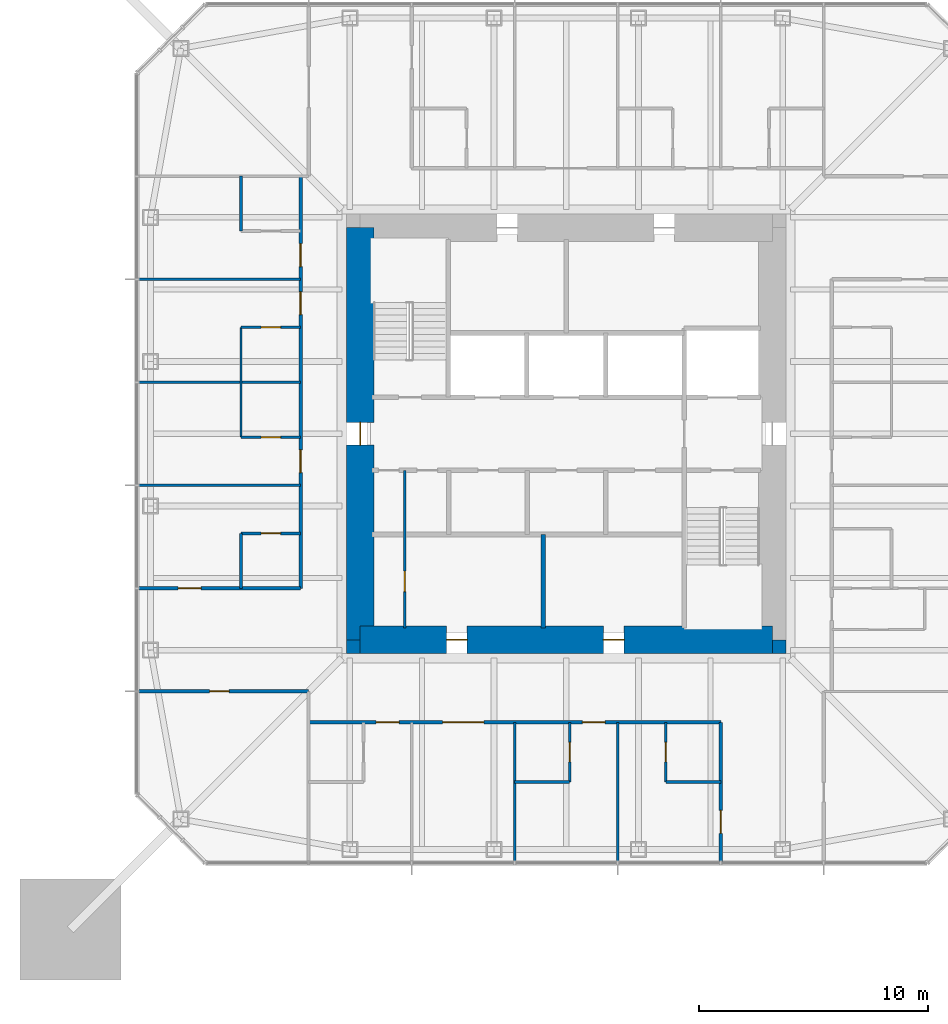
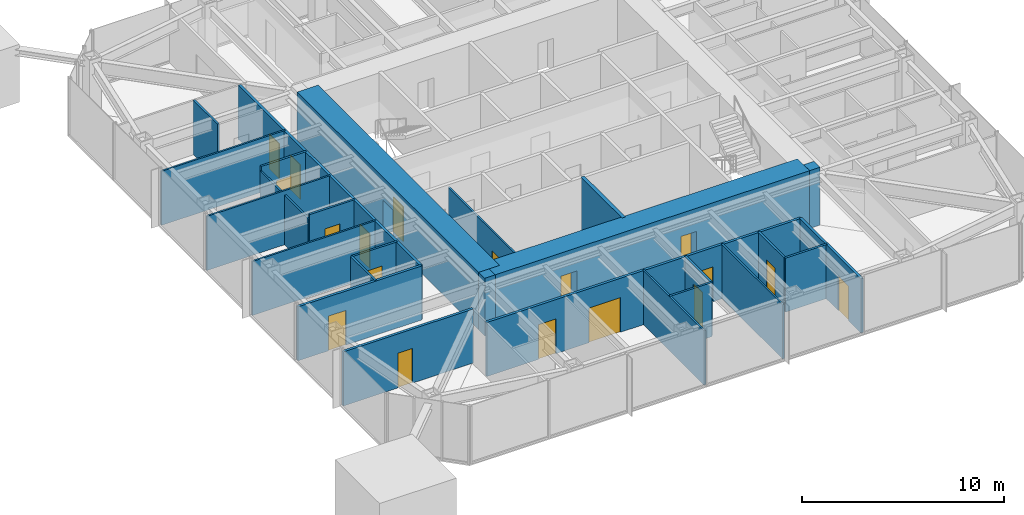
# One storey, part 6 of 12: 26 walls, 18 doors, 18 openings.
"""IFC4 building model written with IfcOpenShell, lengths in metres."""

from ifc_helpers import new_model, si_unit, direction, frame, frame_2d, origin, place, context, subcontext, project, spatial, rectangle, extrude, material, layer, layer_set, type_object, element, fill, save


model = new_model("IFC4")

# Units and contexts
model_context = context("Model", 3, precision=1e-05, world=origin(), true_north=direction((0.0, 1.0)))
body_context = subcontext(model_context, "Body", "Model", "MODEL_VIEW")
ifc_project = project(units=[si_unit("LENGTHUNIT", "METRE"), si_unit("AREAUNIT", "SQUARE_METRE"), si_unit("VOLUMEUNIT", "CUBIC_METRE"), si_unit("PLANEANGLEUNIT", "RADIAN"), si_unit("MASSUNIT", "GRAM", prefix="KILO")], contexts=[model_context])

# Site, building, storey
site_placement = place(None, origin())
site = spatial("IfcSite", under=ifc_project, at=site_placement, CompositionType="ELEMENT")
building_placement = place(site_placement, origin())
building = spatial("IfcBuilding", under=site, at=building_placement, Name="Iwan Alto Co-Living Towers", CompositionType="ELEMENT")
storey_placement = place(building_placement, frame((0.0, 0.0, 153.0)))
storey = spatial("IfcBuildingStorey", under=building, at=storey_placement, Name="L41", CompositionType="ELEMENT", Elevation=153.0)

# Wall, openings, doors
ifc_material_1 = material(Name="Gypsum board")
ifc_layer_1 = layer(ifc_material_1, 0.02490234375, Name="Board", Category="Finish")
ifc_material_2 = material(Name="Steel ASTM A1003 ST33H cold-formed studs", Category="steel")
ifc_layer_2 = layer(ifc_material_2, 0.10009765625, Name="Studs", Category="Framing")
ifc_layer_3 = layer(ifc_material_1, 0.02490234375, Name="Board", Category="Finish")
ifc_layer_set_1 = layer_set([ifc_layer_1, ifc_layer_2, ifc_layer_3], Name="CORRIDOR WALL 150")
wall_type_1 = type_object("IfcWallType", Name="CORRIDOR WALL 150", PredefinedType="PARTITIONING", material=ifc_layer_set_1)
wall_1_placement = place(storey_placement, frame((-11.25, -12.60009765625, 0.0), z_axis=(0.0, 0.0, 1.0), x_axis=(1.0, 0.0, 0.0)))
wall_1 = element("IfcWall", 1, at=wall_1_placement, inside=storey, type_object=wall_type_1, Name="Partition L41", PredefinedType="PARTITIONING", context=body_context, shape_type="SweptSolid", body=[
    extrude(rectangle(XDim=18.0, YDim=0.14990234375, at=frame_2d((9.0, 0.0))), origin(), (0.0, 0.0, 1.0), 3.27001953125),
])
opening_1_placement = place(wall_1_placement, frame((2.949951171875, 0.0, 0.0)))
opening_1 = element("IfcOpeningElement", 2, at=opening_1_placement, cuts=wall_1, Name="Opening D3", PredefinedType="OPENING", context=body_context, shape_type="SweptSolid", body=[
    extrude(rectangle(XDim=1.0, YDim=2.10009765625, at=frame_2d((0.5, 1.050048828125))), frame((0.0, 0.0849609375, 0.0), z_axis=(0.0, -1.0, 0.0), x_axis=(1.0, 0.0, 0.0)), (0.0, 0.0, 1.0), 0.169921875),
])
opening_2_placement = place(wall_1_placement, frame((5.85009765625, 0.0, 0.0)))
opening_2 = element("IfcOpeningElement", 3, at=opening_2_placement, cuts=wall_1, Name="Opening D9", PredefinedType="OPENING", context=body_context, shape_type="SweptSolid", body=[
    extrude(rectangle(XDim=1.800048828125, YDim=2.10009765625, at=frame_2d((0.89990234375, 1.050048828125))), frame((0.0, 0.0849609375, 0.0), z_axis=(0.0, -1.0, 0.0), x_axis=(1.0, 0.0, 0.0)), (0.0, 0.0, 1.0), 0.169921875),
])
opening_3_placement = place(wall_1_placement, frame((11.949951171875, 0.0, 0.0)))
opening_3 = element("IfcOpeningElement", 4, at=opening_3_placement, cuts=wall_1, Name="Opening D3", PredefinedType="OPENING", context=body_context, shape_type="SweptSolid", body=[
    extrude(rectangle(XDim=1.0, YDim=2.10009765625, at=frame_2d((0.5, 1.050048828125))), frame((0.0, 0.0849609375, 0.0), z_axis=(0.0, -1.0, 0.0), x_axis=(1.0, 0.0, 0.0)), (0.0, 0.0, 1.0), 0.169921875),
])
ifc_material_3 = material(Name="Steel frame with timber leaf", Category="steel")
door_type_1 = type_object("IfcDoorType", Name="FLAT ENTRANCE DOOR FD30S 1000X2100", OperationType="SINGLE_SWING_LEFT", PredefinedType="DOOR", material=ifc_material_3)
door_1_placement = place(opening_1_placement, frame((1.0, 0.0, 0.0), z_axis=(0.0, 0.0, 1.0), x_axis=(-1.0, 0.0, 0.0)))
door_1 = element("IfcDoor", 5, at=door_1_placement, inside=storey, type_object=door_type_1, Name="Studio door L41", OperationType="SINGLE_SWING_RIGHT", OverallHeight=2.10009765625, OverallWidth=1.0, PredefinedType="DOOR", context=body_context, shape_type="SweptSolid", body=[
    extrude(rectangle(XDim=1.0, YDim=2.10009765625, at=frame_2d((0.5, 1.050048828125))), frame((0.0, 0.02490234375, 0.0), z_axis=(0.0, -1.0, 0.0), x_axis=(1.0, 0.0, 0.0)), (0.0, 0.0, 1.0), 0.050048828125),
])
fill(opening_1, door_1)
door_2_placement = place(opening_3_placement, frame((1.0, 0.0, 0.0), z_axis=(0.0, 0.0, 1.0), x_axis=(-1.0, 0.0, 0.0)))
door_2 = element("IfcDoor", 6, at=door_2_placement, inside=storey, type_object=door_type_1, Name="Studio door L41", OperationType="SINGLE_SWING_RIGHT", OverallHeight=2.10009765625, OverallWidth=1.0, PredefinedType="DOOR", context=body_context, shape_type="SweptSolid", body=[
    extrude(rectangle(XDim=1.0, YDim=2.10009765625, at=frame_2d((0.5, 1.050048828125))), frame((0.0, 0.02490234375, 0.0), z_axis=(0.0, -1.0, 0.0), x_axis=(1.0, 0.0, 0.0)), (0.0, 0.0, 1.0), 0.050048828125),
])
fill(opening_3, door_2)
ifc_material_4 = material(Name="Steel frame with timber leaf", Category="steel")
door_type_2 = type_object("IfcDoorType", Name="LOUNGE DOOR FD30S 1800X2100", OperationType="DOUBLE_DOOR_SINGLE_SWING", PredefinedType="DOOR", material=ifc_material_4)
door_3_placement = place(opening_2_placement, frame((1.800048828125, 0.0, 0.0), z_axis=(0.0, 0.0, 1.0), x_axis=(-1.0, 0.0, 0.0)))
door_3 = element("IfcDoor", 7, at=door_3_placement, inside=storey, type_object=door_type_2, Name="Seminar room door L41", OperationType="DOUBLE_DOOR_SINGLE_SWING", OverallHeight=2.10009765625, OverallWidth=1.800048828125, PredefinedType="DOOR", context=body_context, shape_type="SweptSolid", body=[
    extrude(rectangle(XDim=1.800048828125, YDim=2.10009765625, at=frame_2d((0.89990234375, 1.050048828125))), frame((0.0, 0.02490234375, 0.0), z_axis=(0.0, -1.0, 0.0), x_axis=(1.0, 0.0, 0.0)), (0.0, 0.0, 1.0), 0.050048828125),
])
fill(opening_2, door_3)

# Wall, opening, door
wall_2_placement = place(storey_placement, frame((-18.68994140625, -11.25, 0.0), z_axis=(0.0, 0.0, 1.0), x_axis=(1.0, 0.0, 0.0)))
wall_2 = element("IfcWall", 8, at=wall_2_placement, inside=storey, type_object=wall_type_1, Name="Partition L41", PredefinedType="PARTITIONING", context=body_context, shape_type="SweptSolid", body=[
    extrude(rectangle(XDim=7.43994140625, YDim=0.14990234375, at=frame_2d((3.719970703125, 0.0))), origin(), (0.0, 0.0, 1.0), 3.27001953125),
])
opening_4_placement = place(wall_2_placement, frame((3.1201171875, 0.0, 0.0)))
opening_4 = element("IfcOpeningElement", 9, at=opening_4_placement, cuts=wall_2, Name="Opening D2", PredefinedType="OPENING", context=body_context, shape_type="SweptSolid", body=[
    extrude(rectangle(XDim=0.85009765625, YDim=2.10009765625, at=frame_2d((0.425048828125, 1.050048828125))), frame((0.0, 0.0849609375, 0.0), z_axis=(0.0, -1.0, 0.0), x_axis=(1.0, 0.0, 0.0)), (0.0, 0.0, 1.0), 0.169921875),
])
ifc_material_5 = material(Name="Timber leaf in steel frame", Category="steel")
door_type_3 = type_object("IfcDoorType", Name="ROOM DOOR 850X2100", OperationType="SINGLE_SWING_LEFT", PredefinedType="DOOR", material=ifc_material_5)
door_4_placement = place(opening_4_placement, frame((0.85009765625, 0.0, 0.0), z_axis=(0.0, 0.0, 1.0), x_axis=(-1.0, 0.0, 0.0)))
door_4 = element("IfcDoor", 10, at=door_4_placement, inside=storey, type_object=door_type_3, Name="Shared kitchen and lounge door L41", OperationType="SINGLE_SWING_RIGHT", OverallHeight=2.10009765625, OverallWidth=0.85009765625, PredefinedType="DOOR", context=body_context, shape_type="SweptSolid", body=[
    extrude(rectangle(XDim=0.85009765625, YDim=2.10009765625, at=frame_2d((0.425048828125, 1.050048828125))), frame((0.0, 0.02490234375, 0.0), z_axis=(0.0, -1.0, 0.0), x_axis=(1.0, 0.0, 0.0)), (0.0, 0.0, 1.0), 0.050048828125),
])
fill(opening_4, door_4)

wall_3_placement = place(storey_placement, frame((-18.68994140625, -6.75, 0.0), z_axis=(0.0, 0.0, 1.0), x_axis=(1.0, 0.0, 0.0)))
wall_3 = element("IfcWall", 11, at=wall_3_placement, inside=storey, type_object=wall_type_1, Name="Partition L41", PredefinedType="PARTITIONING", context=body_context, shape_type="SweptSolid", body=[
    extrude(rectangle(XDim=7.08984375, YDim=0.14990234375, at=frame_2d((3.544921875, 0.0))), origin(), (0.0, 0.0, 1.0), 3.27001953125),
])
opening_5_placement = place(wall_3_placement, frame((1.7451171875, 0.0, 0.0)))
opening_5 = element("IfcOpeningElement", 12, at=opening_5_placement, cuts=wall_3, Name="Opening D3", PredefinedType="OPENING", context=body_context, shape_type="SweptSolid", body=[
    extrude(rectangle(XDim=1.0, YDim=2.10009765625, at=frame_2d((0.5, 1.050048828125))), frame((0.0, 0.0849609375, 0.0), z_axis=(0.0, -1.0, 0.0), x_axis=(1.0, 0.0, 0.0)), (0.0, 0.0, 1.0), 0.169921875),
])
door_5_placement = place(opening_5_placement, origin())
door_5 = element("IfcDoor", 13, at=door_5_placement, inside=storey, type_object=door_type_1, Name="Studio door L41", OperationType="SINGLE_SWING_RIGHT", OverallHeight=2.10009765625, OverallWidth=1.0, PredefinedType="DOOR", context=body_context, shape_type="SweptSolid", body=[
    extrude(rectangle(XDim=1.0, YDim=2.10009765625, at=frame_2d((0.5, 1.050048828125))), frame((0.0, 0.02490234375, 0.0), z_axis=(0.0, -1.0, 0.0), x_axis=(1.0, 0.0, 0.0)), (0.0, 0.0, 1.0), 0.050048828125),
])
fill(opening_5, door_5)

wall_4_placement = place(storey_placement, frame((6.75, -18.68994140625, 0.0), z_axis=(0.0, 0.0, 1.0), x_axis=(0.0, 1.0, 0.0)))
wall_4 = element("IfcWall", 14, at=wall_4_placement, inside=storey, type_object=wall_type_1, Name="Partition L41", PredefinedType="PARTITIONING", context=body_context, shape_type="SweptSolid", body=[
    extrude(rectangle(XDim=6.08984375, YDim=0.14990234375, at=frame_2d((3.044921875, 0.0))), origin(), (0.0, 0.0, 1.0), 3.27001953125),
])
opening_6_placement = place(wall_4_placement, frame((1.2451171875, 0.0, 0.0)))
opening_6 = element("IfcOpeningElement", 15, at=opening_6_placement, cuts=wall_4, Name="Opening D3", PredefinedType="OPENING", context=body_context, shape_type="SweptSolid", body=[
    extrude(rectangle(XDim=1.0, YDim=2.10009765625, at=frame_2d((0.5, 1.050048828125))), frame((0.0, 0.0849609375, 0.0), z_axis=(0.0, -1.0, 0.0), x_axis=(1.0, 0.0, 0.0)), (0.0, 0.0, 1.0), 0.169921875),
])
door_6_placement = place(opening_6_placement, origin())
door_6 = element("IfcDoor", 16, at=door_6_placement, inside=storey, type_object=door_type_1, Name="Studio door L41", OperationType="SINGLE_SWING_RIGHT", OverallHeight=2.10009765625, OverallWidth=1.0, PredefinedType="DOOR", context=body_context, shape_type="SweptSolid", body=[
    extrude(rectangle(XDim=1.0, YDim=2.10009765625, at=frame_2d((0.5, 1.050048828125))), frame((0.0, 0.02490234375, 0.0), z_axis=(0.0, -1.0, 0.0), x_axis=(1.0, 0.0, 0.0)), (0.0, 0.0, 1.0), 0.050048828125),
])
fill(opening_6, door_6)

# Wall, openings, doors
wall_5_placement = place(storey_placement, frame((-11.60009765625, -6.75, 0.0), z_axis=(0.0, 0.0, 1.0), x_axis=(0.0, 1.0, 0.0)))
wall_5 = element("IfcWall", 17, at=wall_5_placement, inside=storey, type_object=wall_type_1, Name="Partition L41", PredefinedType="PARTITIONING", context=body_context, shape_type="SweptSolid", body=[
    extrude(rectangle(XDim=18.0, YDim=0.14990234375, at=frame_2d((9.0, 0.0))), origin(), (0.0, 0.0, 1.0), 3.27001953125),
])
opening_7_placement = place(wall_5_placement, frame((14.050048828125, 0.0, 0.0)))
opening_7 = element("IfcOpeningElement", 18, at=opening_7_placement, cuts=wall_5, Name="Opening D3", PredefinedType="OPENING", context=body_context, shape_type="SweptSolid", body=[
    extrude(rectangle(XDim=1.0, YDim=2.10009765625, at=frame_2d((0.5, 1.050048828125))), frame((0.0, 0.0849609375, 0.0), z_axis=(0.0, -1.0, 0.0), x_axis=(1.0, 0.0, 0.0)), (0.0, 0.0, 1.0), 0.169921875),
])
opening_8_placement = place(wall_5_placement, frame((11.949951171875, 0.0, 0.0)))
opening_8 = element("IfcOpeningElement", 19, at=opening_8_placement, cuts=wall_5, Name="Opening D3", PredefinedType="OPENING", context=body_context, shape_type="SweptSolid", body=[
    extrude(rectangle(XDim=1.0, YDim=2.10009765625, at=frame_2d((0.5, 1.050048828125))), frame((0.0, 0.0849609375, 0.0), z_axis=(0.0, -1.0, 0.0), x_axis=(1.0, 0.0, 0.0)), (0.0, 0.0, 1.0), 0.169921875),
])
opening_9_placement = place(wall_5_placement, frame((5.050048828125, 0.0, 0.0)))
opening_9 = element("IfcOpeningElement", 20, at=opening_9_placement, cuts=wall_5, Name="Opening D3", PredefinedType="OPENING", context=body_context, shape_type="SweptSolid", body=[
    extrude(rectangle(XDim=1.0, YDim=2.10009765625, at=frame_2d((0.5, 1.050048828125))), frame((0.0, 0.0849609375, 0.0), z_axis=(0.0, -1.0, 0.0), x_axis=(1.0, 0.0, 0.0)), (0.0, 0.0, 1.0), 0.169921875),
])
door_7_placement = place(opening_7_placement, origin())
door_7 = element("IfcDoor", 21, at=door_7_placement, inside=storey, type_object=door_type_1, Name="Studio door L41", OperationType="SINGLE_SWING_LEFT", OverallHeight=2.10009765625, OverallWidth=1.0, PredefinedType="DOOR", context=body_context, shape_type="SweptSolid", body=[
    extrude(rectangle(XDim=1.0, YDim=2.10009765625, at=frame_2d((0.5, 1.050048828125))), frame((0.0, 0.02490234375, 0.0), z_axis=(0.0, -1.0, 0.0), x_axis=(1.0, 0.0, 0.0)), (0.0, 0.0, 1.0), 0.050048828125),
])
fill(opening_7, door_7)
door_8_placement = place(opening_8_placement, origin())
door_8 = element("IfcDoor", 22, at=door_8_placement, inside=storey, type_object=door_type_1, Name="Studio door L41", OperationType="SINGLE_SWING_LEFT", OverallHeight=2.10009765625, OverallWidth=1.0, PredefinedType="DOOR", context=body_context, shape_type="SweptSolid", body=[
    extrude(rectangle(XDim=1.0, YDim=2.10009765625, at=frame_2d((0.5, 1.050048828125))), frame((0.0, 0.02490234375, 0.0), z_axis=(0.0, -1.0, 0.0), x_axis=(1.0, 0.0, 0.0)), (0.0, 0.0, 1.0), 0.050048828125),
])
fill(opening_8, door_8)
door_9_placement = place(opening_9_placement, origin())
door_9 = element("IfcDoor", 23, at=door_9_placement, inside=storey, type_object=door_type_1, Name="Studio door L41", OperationType="SINGLE_SWING_LEFT", OverallHeight=2.10009765625, OverallWidth=1.0, PredefinedType="DOOR", context=body_context, shape_type="SweptSolid", body=[
    extrude(rectangle(XDim=1.0, YDim=2.10009765625, at=frame_2d((0.5, 1.050048828125))), frame((0.0, 0.02490234375, 0.0), z_axis=(0.0, -1.0, 0.0), x_axis=(1.0, 0.0, 0.0)), (0.0, 0.0, 1.0), 0.050048828125),
])
fill(opening_9, door_9)

# Walls
ifc_layer_4 = layer(ifc_material_1, 0.012451171875, Name="Board", Category="Finish")
ifc_layer_5 = layer(ifc_material_2, 0.074951171875, Name="Studs", Category="Framing")
ifc_layer_6 = layer(ifc_material_1, 0.012451171875, Name="Board", Category="Finish")
ifc_layer_set_2 = layer_set([ifc_layer_4, ifc_layer_5, ifc_layer_6], Name="PARTITION 100")
wall_type_2 = type_object("IfcWallType", Name="PARTITION 100", PredefinedType="PARTITIONING", material=ifc_layer_set_2)
for number, where, z_axis, x_axis, name in (
    (24, (-18.68994140625, -2.25, 0.0), (0.0, 0.0, 1.0), (1.0, 0.0, 0.0), "Partition L41"),
    (25, (-18.68994140625, 2.25, 0.0), (0.0, 0.0, 1.0), (1.0, 0.0, 0.0), "Partition L41"),
    (26, (-18.68994140625, 6.75, 0.0), (0.0, 0.0, 1.0), (1.0, 0.0, 0.0), "Partition L41"),
):
    element("IfcWall", number, at=place(storey_placement, frame(where, z_axis=z_axis, x_axis=x_axis)), inside=storey, type_object=wall_type_2, Name=name, PredefinedType="PARTITIONING", context=body_context, shape_type="SweptSolid", body=[
        extrude(rectangle(XDim=7.08984375, YDim=0.10009765625, at=frame_2d((3.544921875, 0.0))), origin(), (0.0, 0.0, 1.0), 3.27001953125),
    ])
for number, where, z_axis, x_axis, name in (
    (27, (2.25, -18.68994140625, 0.0), (0.0, 0.0, 1.0), (0.0, 1.0, 0.0), "Partition L41"),
    (28, (-2.25, -18.68994140625, 0.0), (0.0, 0.0, 1.0), (0.0, 1.0, 0.0), "Partition L41"),
):
    element("IfcWall", number, at=place(storey_placement, frame(where, z_axis=z_axis, x_axis=x_axis)), inside=storey, type_object=wall_type_2, Name=name, PredefinedType="PARTITIONING", context=body_context, shape_type="SweptSolid", body=[
        extrude(rectangle(XDim=6.08984375, YDim=0.10009765625, at=frame_2d((3.044921875, 0.0))), origin(), (0.0, 0.0, 1.0), 3.27001953125),
    ])

# Wall, opening, door
wall_6_placement = place(storey_placement, frame((-7.050048828125, -8.489990234375, 0.0), z_axis=(0.0, 0.0, 1.0), x_axis=(0.0, 1.0, 0.0)))
wall_6 = element("IfcWall", 29, at=wall_6_placement, inside=storey, type_object=wall_type_2, Name="Partition L41", PredefinedType="PARTITIONING", context=body_context, shape_type="SweptSolid", body=[
    extrude(rectangle(XDim=6.889892578125, YDim=0.10009765625, at=frame_2d((3.44482421875, 0.0))), origin(), (0.0, 0.0, 1.0), 3.300048828125),
])
opening_10_placement = place(wall_6_placement, frame((1.594970703125, 0.0, 0.0)))
opening_10 = element("IfcOpeningElement", 30, at=opening_10_placement, cuts=wall_6, Name="Opening D16", PredefinedType="OPENING", context=body_context, shape_type="SweptSolid", body=[
    extrude(rectangle(XDim=0.89990234375, YDim=2.10009765625, at=frame_2d((0.449951171875, 1.050048828125))), frame((0.0, 0.06005859375, 0.0), z_axis=(0.0, -1.0, 0.0), x_axis=(1.0, 0.0, 0.0)), (0.0, 0.0, 1.0), 0.1201171875),
])
ifc_material_6 = material(Name="Timber leaf in steel frame", Category="steel")
door_type_4 = type_object("IfcDoorType", Name="CUPBOARD SLIDING DOOR 900X2100", OperationType="SLIDING_TO_LEFT", PredefinedType="DOOR", material=ifc_material_6)
door_10_placement = place(opening_10_placement, origin())
door_10 = element("IfcDoor", 31, at=door_10_placement, inside=storey, type_object=door_type_4, Name="Bin store door L41", OperationType="SLIDING_TO_RIGHT", OverallHeight=2.10009765625, OverallWidth=0.89990234375, PredefinedType="DOOR", context=body_context, shape_type="SweptSolid", body=[
    extrude(rectangle(XDim=0.89990234375, YDim=2.10009765625, at=frame_2d((0.449951171875, 1.050048828125))), frame((0.0, 0.02490234375, 0.0), z_axis=(0.0, -1.0, 0.0), x_axis=(1.0, 0.0, 0.0)), (0.0, 0.0, 1.0), 0.050048828125),
])
fill(opening_10, door_10)

# Walls
wall_7_placement = place(storey_placement, frame((-14.199951171875, -0.14990234375, 0.0), z_axis=(0.0, 0.0, 1.0), x_axis=(0.0, 1.0, 0.0)))
element("IfcWall", 32, at=wall_7_placement, inside=storey, type_object=wall_type_2, Name="Partition L41", PredefinedType="PARTITIONING", context=body_context, shape_type="SweptSolid", body=[
    extrude(rectangle(XDim=4.7998046875, YDim=0.10009765625, at=frame_2d((2.39990234375, 0.0))), origin(), (0.0, 0.0, 1.0), 3.0),
])
ifc_material_7 = material(Name="Concrete f'c 70 MPa", Category="concrete")
ifc_layer_7 = layer(ifc_material_7, 0.199951171875)
ifc_layer_set_3 = layer_set([ifc_layer_7], Name="SHAFT WALL 200")
wall_type_3 = type_object("IfcWallType", Name="SHAFT WALL 200", PredefinedType="SOLIDWALL", material=ifc_layer_set_3)
wall_8_placement = place(storey_placement, frame((-1.0, -8.489990234375, 0.0), z_axis=(0.0, 0.0, 1.0), x_axis=(0.0, 1.0, 0.0)))
element("IfcWall", 33, at=wall_8_placement, inside=storey, type_object=wall_type_3, Name="Shaft wall L41", PredefinedType="SOLIDWALL", context=body_context, shape_type="SweptSolid", body=[
    extrude(rectangle(XDim=4.090087890625, YDim=0.199951171875, at=frame_2d((2.044921875, 0.0))), origin(), (0.0, 0.0, 1.0), 3.5),
])
ifc_material_8 = material(Name="Concrete f'c 70 MPa", Category="concrete")
ifc_layer_8 = layer(ifc_material_8, 0.60009765625)
ifc_layer_set_4 = layer_set([ifc_layer_8], Name="T1 CORE CORNER FILL 600")
wall_type_4 = type_object("IfcWallType", Name="T1 CORE CORNER FILL 600", PredefinedType="SOLIDWALL", material=ifc_layer_set_4)
for number, where, z_axis, x_axis, name in (
    (34, (-9.60009765625, -9.300048828125, 0.0), (0.0, 0.0, 1.0), (1.0, 0.0, 0.0), "T1 core corner SW L41"),
    (35, (9.0, -9.300048828125, 0.0), (0.0, 0.0, 1.0), (1.0, 0.0, 0.0), "T1 core corner SE L41"),
):
    element("IfcWall", number, at=place(storey_placement, frame(where, z_axis=z_axis, x_axis=x_axis)), inside=storey, type_object=wall_type_4, Name=name, PredefinedType="SOLIDWALL", context=body_context, shape_type="SweptSolid", body=[
        extrude(rectangle(XDim=0.60009765625, YDim=0.60009765625, at=frame_2d((0.300048828125, 0.0))), origin(), (0.0, 0.0, 1.0), 3.5),
    ])

# Wall, openings, doors
ifc_material_9 = material(Name="Concrete f'c 70 MPa", Category="concrete")
ifc_layer_9 = layer(ifc_material_9, 1.199951171875)
ifc_layer_set_5 = layer_set([ifc_layer_9], Name="T1 CORE WALL 1200")
wall_type_5 = type_object("IfcWallType", Name="T1 CORE WALL 1200", PredefinedType="SHEAR", material=ifc_layer_set_5)
wall_9_placement = place(storey_placement, frame((-9.0, -9.0, 0.0), z_axis=(0.0, 0.0, 1.0), x_axis=(1.0, 0.0, 0.0)))
wall_9 = element("IfcWall", 36, at=wall_9_placement, inside=storey, type_object=wall_type_5, Name="T1 core wall S L41", PredefinedType="SHEAR", context=body_context, shape_type="SweptSolid", body=[
    extrude(rectangle(XDim=18.0, YDim=1.199951171875, at=frame_2d((9.0, 0.0))), origin(), (0.0, 0.0, 1.0), 3.5),
])
opening_11_placement = place(wall_9_placement, frame((3.77490234375, 0.0, 0.0)))
opening_11 = element("IfcOpeningElement", 37, at=opening_11_placement, cuts=wall_9, Name="Opening D8", PredefinedType="OPENING", context=body_context, shape_type="SweptSolid", body=[
    extrude(rectangle(XDim=0.89990234375, YDim=2.10009765625, at=frame_2d((0.449951171875, 1.050048828125))), frame((0.0, 0.60986328125, 0.0), z_axis=(0.0, -1.0, 0.0), x_axis=(1.0, 0.0, 0.0)), (0.0, 0.0, 1.0), 1.219970703125),
])
opening_12_placement = place(wall_9_placement, frame((10.625, 0.0, 0.0)))
opening_12 = element("IfcOpeningElement", 38, at=opening_12_placement, cuts=wall_9, Name="Opening D8", PredefinedType="OPENING", context=body_context, shape_type="SweptSolid", body=[
    extrude(rectangle(XDim=0.89990234375, YDim=2.10009765625, at=frame_2d((0.449951171875, 1.050048828125))), frame((0.0, 0.60986328125, 0.0), z_axis=(0.0, -1.0, 0.0), x_axis=(1.0, 0.0, 0.0)), (0.0, 0.0, 1.0), 1.219970703125),
])
ifc_material_10 = material(Name="Steel frame with timber leaf", Category="steel")
door_type_5 = type_object("IfcDoorType", Name="RISER DOOR FD120 900X2100", OperationType="SINGLE_SWING_LEFT", PredefinedType="DOOR", material=ifc_material_10)
door_11_placement = place(opening_11_placement, origin())
door_11 = element("IfcDoor", 39, at=door_11_placement, inside=storey, type_object=door_type_5, Name="Refuse room core door L41", OperationType="SINGLE_SWING_LEFT", OverallHeight=2.10009765625, OverallWidth=0.89990234375, PredefinedType="DOOR", context=body_context, shape_type="SweptSolid", body=[
    extrude(rectangle(XDim=0.89990234375, YDim=2.10009765625, at=frame_2d((0.449951171875, 1.050048828125))), frame((0.0, 0.02490234375, 0.0), z_axis=(0.0, -1.0, 0.0), x_axis=(1.0, 0.0, 0.0)), (0.0, 0.0, 1.0), 0.050048828125),
])
fill(opening_11, door_11)
door_12_placement = place(opening_12_placement, origin())
door_12 = element("IfcDoor", 40, at=door_12_placement, inside=storey, type_object=door_type_5, Name="Telecom riser core door L41", OperationType="SINGLE_SWING_LEFT", OverallHeight=2.10009765625, OverallWidth=0.89990234375, PredefinedType="DOOR", context=body_context, shape_type="SweptSolid", body=[
    extrude(rectangle(XDim=0.89990234375, YDim=2.10009765625, at=frame_2d((0.449951171875, 1.050048828125))), frame((0.0, 0.02490234375, 0.0), z_axis=(0.0, -1.0, 0.0), x_axis=(1.0, 0.0, 0.0)), (0.0, 0.0, 1.0), 0.050048828125),
])
fill(opening_12, door_12)

# Wall, opening, door
wall_10_placement = place(storey_placement, frame((-9.0, 9.0, 0.0), z_axis=(0.0, 0.0, 1.0), x_axis=(0.0, -1.0, 0.0)))
wall_10 = element("IfcWall", 41, at=wall_10_placement, inside=storey, type_object=wall_type_5, Name="T1 core wall W L41", PredefinedType="SHEAR", context=body_context, shape_type="SweptSolid", body=[
    extrude(rectangle(XDim=18.0, YDim=1.199951171875, at=frame_2d((9.0, 0.0))), origin(), (0.0, 0.0, 1.0), 3.5),
])
opening_13_placement = place(wall_10_placement, frame((8.5, 0.0, 0.0)))
opening_13 = element("IfcOpeningElement", 42, at=opening_13_placement, cuts=wall_10, Name="Opening D7", PredefinedType="OPENING", context=body_context, shape_type="SweptSolid", body=[
    extrude(rectangle(XDim=1.0, YDim=2.10009765625, at=frame_2d((0.5, 1.050048828125))), frame((0.0, 0.60986328125, 0.0), z_axis=(0.0, -1.0, 0.0), x_axis=(1.0, 0.0, 0.0)), (0.0, 0.0, 1.0), 1.219970703125),
])
ifc_material_11 = material(Name="Steel frame with timber leaf", Category="steel")
door_type_6 = type_object("IfcDoorType", Name="CORE DOOR FD120S 1000X2100", OperationType="SINGLE_SWING_LEFT", PredefinedType="DOOR", material=ifc_material_11)
door_13_placement = place(opening_13_placement, origin())
door_13 = element("IfcDoor", 43, at=door_13_placement, inside=storey, type_object=door_type_6, Name="Lift lobby core door L41", OperationType="SINGLE_SWING_RIGHT", OverallHeight=2.10009765625, OverallWidth=1.0, PredefinedType="DOOR", context=body_context, shape_type="SweptSolid", body=[
    extrude(rectangle(XDim=1.0, YDim=2.10009765625, at=frame_2d((0.5, 1.050048828125))), frame((0.0, 0.02490234375, 0.0), z_axis=(0.0, -1.0, 0.0), x_axis=(1.0, 0.0, 0.0)), (0.0, 0.0, 1.0), 0.050048828125),
])
fill(opening_13, door_13)

# Walls
ifc_material_12 = material(Name="Cement board")
ifc_layer_10 = layer(ifc_material_12, 0.012451171875, Name="Board", Category="Finish")
ifc_layer_11 = layer(ifc_material_2, 0.094970703125, Name="Studs", Category="Framing")
ifc_layer_12 = layer(ifc_material_12, 0.012451171875, Name="Board", Category="Finish")
ifc_layer_set_6 = layer_set([ifc_layer_10, ifc_layer_11, ifc_layer_12], Name="WET AREA PARTITION 120")
wall_type_6 = type_object("IfcWallType", Name="WET AREA PARTITION 120", PredefinedType="PARTITIONING", material=ifc_layer_set_6)
for number, where, z_axis, x_axis, name in (
    (44, (-2.25, -15.199951171875, 0.0), (0.0, 0.0, 1.0), (1.0, 0.0, 0.0), "Partition L41"),
    (45, (4.35009765625, -15.199951171875, 0.0), (0.0, 0.0, 1.0), (1.0, 0.0, 0.0), "Partition L41"),
):
    element("IfcWall", number, at=place(storey_placement, frame(where, z_axis=z_axis, x_axis=x_axis)), inside=storey, type_object=wall_type_6, Name=name, PredefinedType="PARTITIONING", context=body_context, shape_type="SweptSolid", body=[
        extrude(rectangle(XDim=2.39990234375, YDim=0.1201171875, at=frame_2d((1.199951171875, 0.0))), origin(), (0.0, 0.0, 1.0), 3.27001953125),
    ])

# Wall, opening, door
wall_11_placement = place(storey_placement, frame((-14.199951171875, -4.35009765625, 0.0), z_axis=(0.0, 0.0, 1.0), x_axis=(1.0, 0.0, 0.0)))
wall_11 = element("IfcWall", 46, at=wall_11_placement, inside=storey, type_object=wall_type_6, Name="Partition L41", PredefinedType="PARTITIONING", context=body_context, shape_type="SweptSolid", body=[
    extrude(rectangle(XDim=2.599853515625, YDim=0.1201171875, at=frame_2d((1.2998046875, 0.0))), origin(), (0.0, 0.0, 1.0), 3.27001953125),
])
opening_14_placement = place(wall_11_placement, frame((0.875, 0.0, 0.0)))
opening_14 = element("IfcOpeningElement", 47, at=opening_14_placement, cuts=wall_11, Name="Opening D2", PredefinedType="OPENING", context=body_context, shape_type="SweptSolid", body=[
    extrude(rectangle(XDim=0.85009765625, YDim=2.10009765625, at=frame_2d((0.425048828125, 1.050048828125))), frame((0.0, 0.070068359375, 0.0), z_axis=(0.0, -1.0, 0.0), x_axis=(1.0, 0.0, 0.0)), (0.0, 0.0, 1.0), 0.14013671875),
])
door_14_placement = place(opening_14_placement, origin())
door_14 = element("IfcDoor", 48, at=door_14_placement, inside=storey, type_object=door_type_3, Name="En-suite shower room door L41", OperationType="SINGLE_SWING_RIGHT", OverallHeight=2.10009765625, OverallWidth=0.85009765625, PredefinedType="DOOR", context=body_context, shape_type="SweptSolid", body=[
    extrude(rectangle(XDim=0.85009765625, YDim=2.10009765625, at=frame_2d((0.425048828125, 1.050048828125))), frame((0.0, 0.02490234375, 0.0), z_axis=(0.0, -1.0, 0.0), x_axis=(1.0, 0.0, 0.0)), (0.0, 0.0, 1.0), 0.050048828125),
])
fill(opening_14, door_14)

wall_12_placement = place(storey_placement, frame((-14.199951171875, -0.14990234375, 0.0), z_axis=(0.0, 0.0, 1.0), x_axis=(1.0, 0.0, 0.0)))
wall_12 = element("IfcWall", 49, at=wall_12_placement, inside=storey, type_object=wall_type_6, Name="Partition L41", PredefinedType="PARTITIONING", context=body_context, shape_type="SweptSolid", body=[
    extrude(rectangle(XDim=2.599853515625, YDim=0.1201171875, at=frame_2d((1.2998046875, 0.0))), origin(), (0.0, 0.0, 1.0), 3.27001953125),
])
opening_15_placement = place(wall_12_placement, frame((0.875, 0.0, 0.0)))
opening_15 = element("IfcOpeningElement", 50, at=opening_15_placement, cuts=wall_12, Name="Opening D2", PredefinedType="OPENING", context=body_context, shape_type="SweptSolid", body=[
    extrude(rectangle(XDim=0.85009765625, YDim=2.10009765625, at=frame_2d((0.425048828125, 1.050048828125))), frame((0.0, 0.070068359375, 0.0), z_axis=(0.0, -1.0, 0.0), x_axis=(1.0, 0.0, 0.0)), (0.0, 0.0, 1.0), 0.14013671875),
])
door_15_placement = place(opening_15_placement, frame((0.85009765625, 0.0, 0.0), z_axis=(0.0, 0.0, 1.0), x_axis=(-1.0, 0.0, 0.0)))
door_15 = element("IfcDoor", 51, at=door_15_placement, inside=storey, type_object=door_type_3, Name="En-suite shower room door L41", OperationType="SINGLE_SWING_LEFT", OverallHeight=2.10009765625, OverallWidth=0.85009765625, PredefinedType="DOOR", context=body_context, shape_type="SweptSolid", body=[
    extrude(rectangle(XDim=0.85009765625, YDim=2.10009765625, at=frame_2d((0.425048828125, 1.050048828125))), frame((0.0, 0.02490234375, 0.0), z_axis=(0.0, -1.0, 0.0), x_axis=(1.0, 0.0, 0.0)), (0.0, 0.0, 1.0), 0.050048828125),
])
fill(opening_15, door_15)

wall_13_placement = place(storey_placement, frame((-14.199951171875, 4.64990234375, 0.0), z_axis=(0.0, 0.0, 1.0), x_axis=(1.0, 0.0, 0.0)))
wall_13 = element("IfcWall", 52, at=wall_13_placement, inside=storey, type_object=wall_type_6, Name="Partition L41", PredefinedType="PARTITIONING", context=body_context, shape_type="SweptSolid", body=[
    extrude(rectangle(XDim=2.599853515625, YDim=0.1201171875, at=frame_2d((1.2998046875, 0.0))), origin(), (0.0, 0.0, 1.0), 3.27001953125),
])
opening_16_placement = place(wall_13_placement, frame((0.875, 0.0, 0.0)))
opening_16 = element("IfcOpeningElement", 53, at=opening_16_placement, cuts=wall_13, Name="Opening D2", PredefinedType="OPENING", context=body_context, shape_type="SweptSolid", body=[
    extrude(rectangle(XDim=0.85009765625, YDim=2.10009765625, at=frame_2d((0.425048828125, 1.050048828125))), frame((0.0, 0.070068359375, 0.0), z_axis=(0.0, -1.0, 0.0), x_axis=(1.0, 0.0, 0.0)), (0.0, 0.0, 1.0), 0.14013671875),
])
door_16_placement = place(opening_16_placement, origin())
door_16 = element("IfcDoor", 54, at=door_16_placement, inside=storey, type_object=door_type_3, Name="En-suite shower room door L41", OperationType="SINGLE_SWING_RIGHT", OverallHeight=2.10009765625, OverallWidth=0.85009765625, PredefinedType="DOOR", context=body_context, shape_type="SweptSolid", body=[
    extrude(rectangle(XDim=0.85009765625, YDim=2.10009765625, at=frame_2d((0.425048828125, 1.050048828125))), frame((0.0, 0.02490234375, 0.0), z_axis=(0.0, -1.0, 0.0), x_axis=(1.0, 0.0, 0.0)), (0.0, 0.0, 1.0), 0.050048828125),
])
fill(opening_16, door_16)

wall_14_placement = place(storey_placement, frame((4.35009765625, -15.199951171875, 0.0), z_axis=(0.0, 0.0, 1.0), x_axis=(0.0, 1.0, 0.0)))
wall_14 = element("IfcWall", 55, at=wall_14_placement, inside=storey, type_object=wall_type_6, Name="Partition L41", PredefinedType="PARTITIONING", context=body_context, shape_type="SweptSolid", body=[
    extrude(rectangle(XDim=2.599853515625, YDim=0.1201171875, at=frame_2d((1.2998046875, 0.0))), origin(), (0.0, 0.0, 1.0), 3.27001953125),
])
opening_17_placement = place(wall_14_placement, frame((0.875, 0.0, 0.0)))
opening_17 = element("IfcOpeningElement", 56, at=opening_17_placement, cuts=wall_14, Name="Opening D2", PredefinedType="OPENING", context=body_context, shape_type="SweptSolid", body=[
    extrude(rectangle(XDim=0.85009765625, YDim=2.10009765625, at=frame_2d((0.425048828125, 1.050048828125))), frame((0.0, 0.070068359375, 0.0), z_axis=(0.0, -1.0, 0.0), x_axis=(1.0, 0.0, 0.0)), (0.0, 0.0, 1.0), 0.14013671875),
])
door_17_placement = place(opening_17_placement, origin())
door_17 = element("IfcDoor", 57, at=door_17_placement, inside=storey, type_object=door_type_3, Name="En-suite shower room door L41", OperationType="SINGLE_SWING_RIGHT", OverallHeight=2.10009765625, OverallWidth=0.85009765625, PredefinedType="DOOR", context=body_context, shape_type="SweptSolid", body=[
    extrude(rectangle(XDim=0.85009765625, YDim=2.10009765625, at=frame_2d((0.425048828125, 1.050048828125))), frame((0.0, 0.02490234375, 0.0), z_axis=(0.0, -1.0, 0.0), x_axis=(1.0, 0.0, 0.0)), (0.0, 0.0, 1.0), 0.050048828125),
])
fill(opening_17, door_17)

wall_15_placement = place(storey_placement, frame((0.14990234375, -15.199951171875, 0.0), z_axis=(0.0, 0.0, 1.0), x_axis=(0.0, 1.0, 0.0)))
wall_15 = element("IfcWall", 58, at=wall_15_placement, inside=storey, type_object=wall_type_6, Name="Partition L41", PredefinedType="PARTITIONING", context=body_context, shape_type="SweptSolid", body=[
    extrude(rectangle(XDim=2.599853515625, YDim=0.1201171875, at=frame_2d((1.2998046875, 0.0))), origin(), (0.0, 0.0, 1.0), 3.27001953125),
])
opening_18_placement = place(wall_15_placement, frame((0.875, 0.0, 0.0)))
opening_18 = element("IfcOpeningElement", 59, at=opening_18_placement, cuts=wall_15, Name="Opening D2", PredefinedType="OPENING", context=body_context, shape_type="SweptSolid", body=[
    extrude(rectangle(XDim=0.85009765625, YDim=2.10009765625, at=frame_2d((0.425048828125, 1.050048828125))), frame((0.0, 0.070068359375, 0.0), z_axis=(0.0, -1.0, 0.0), x_axis=(1.0, 0.0, 0.0)), (0.0, 0.0, 1.0), 0.14013671875),
])
door_18_placement = place(opening_18_placement, frame((0.85009765625, 0.0, 0.0), z_axis=(0.0, 0.0, 1.0), x_axis=(-1.0, 0.0, 0.0)))
door_18 = element("IfcDoor", 60, at=door_18_placement, inside=storey, type_object=door_type_3, Name="En-suite shower room door L41", OperationType="SINGLE_SWING_LEFT", OverallHeight=2.10009765625, OverallWidth=0.85009765625, PredefinedType="DOOR", context=body_context, shape_type="SweptSolid", body=[
    extrude(rectangle(XDim=0.85009765625, YDim=2.10009765625, at=frame_2d((0.425048828125, 1.050048828125))), frame((0.0, 0.02490234375, 0.0), z_axis=(0.0, -1.0, 0.0), x_axis=(1.0, 0.0, 0.0)), (0.0, 0.0, 1.0), 0.050048828125),
])
fill(opening_18, door_18)

# Walls
for number, where, z_axis, x_axis, name in (
    (61, (-14.199951171875, -6.75, 0.0), (0.0, 0.0, 1.0), (0.0, 1.0, 0.0), "Partition L41"),
    (62, (-14.199951171875, 8.85009765625, 0.0), (0.0, 0.0, 1.0), (0.0, 1.0, 0.0), "Partition L41"),
):
    element("IfcWall", number, at=place(storey_placement, frame(where, z_axis=z_axis, x_axis=x_axis)), inside=storey, type_object=wall_type_6, Name=name, PredefinedType="PARTITIONING", context=body_context, shape_type="SweptSolid", body=[
        extrude(rectangle(XDim=2.39990234375, YDim=0.1201171875, at=frame_2d((1.199951171875, 0.0))), origin(), (0.0, 0.0, 1.0), 3.27001953125),
    ])

save(model, "model.ifc")
